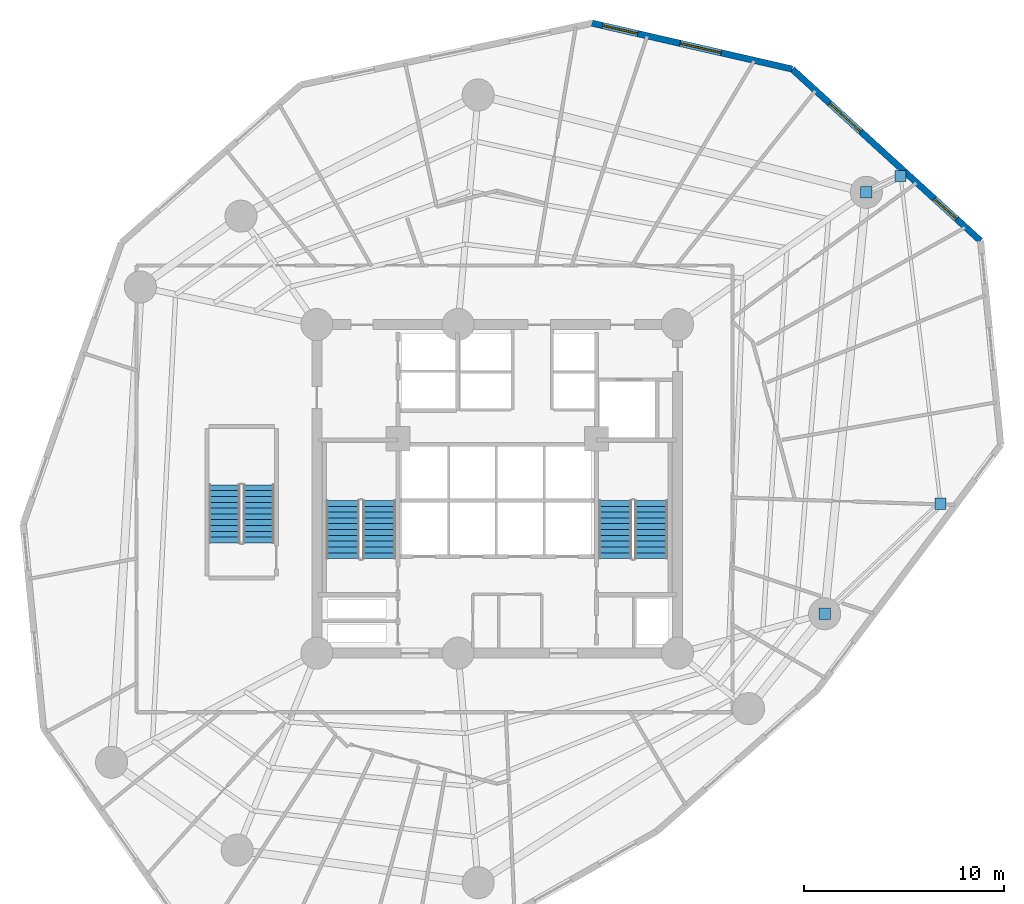
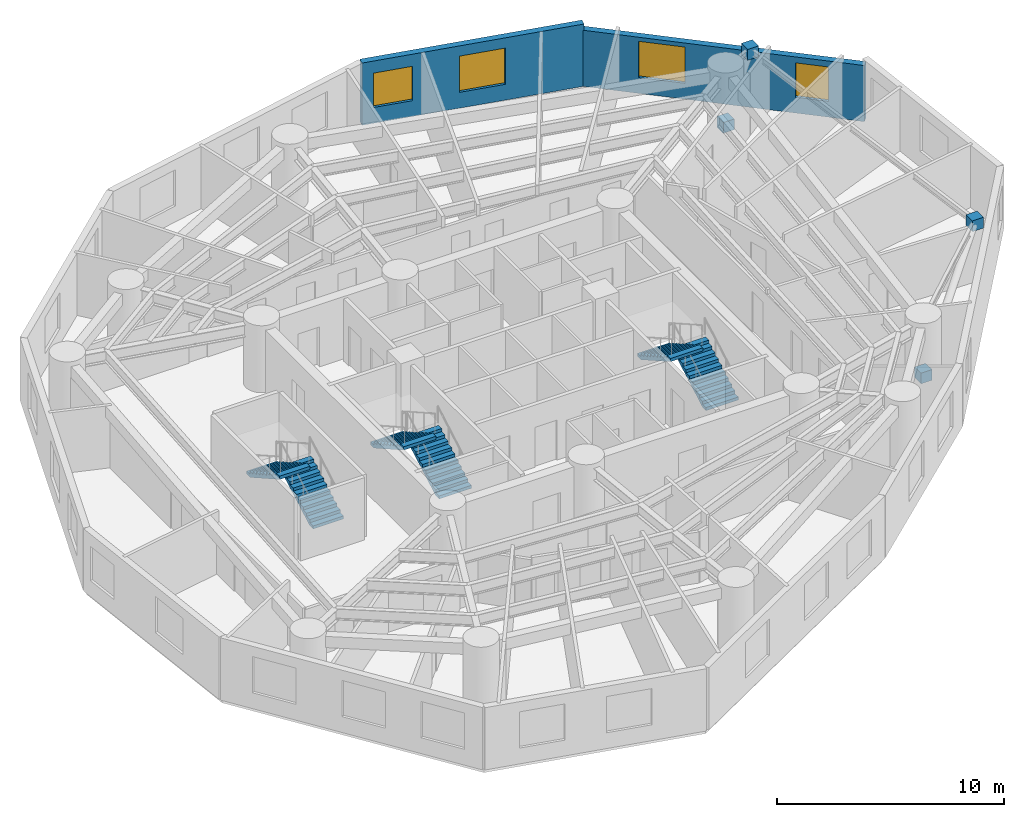
# One storey, part 7 of 8: 6 stair flights, 4 discrete accessories, 4 windows, 2 walls, 4 openings, 3 elements without a shape of their own.
"""IFC4 building model written with IfcOpenShell, lengths in metres."""

import ifcopenshell
import ifcopenshell.guid

model = None  # the IFC model being written
_history = None  # IfcOwnerHistory: only IFC2X3 demands one
_inside = {}  # id of a spatial element -> (the spatial element, [elements in it])
_under = {}  # id of a project, library or spatial element -> (it, [spatial elements below it])
_declared = {}  # id of a project -> (the project, [libraries it declares])
_typed = {}  # id of a type object -> (the type object, [elements of that type])
_made_of = {}  # id of a material, layer set ... -> (it, [elements and type objects made of it])


def new_model(schema):
    """Start an empty IFC model of exactly this schema.

    Asked for "IFC4X3", IfcOpenShell would pick the latest addendum, in which some entities
    have other attributes; the version numbers below select the first issue.
    IFC2X3 requires an IfcOwnerHistory on every rooted entity: one is made here for all.
    """
    global model, _history
    if schema == "IFC4X3":
        model = ifcopenshell.file(schema_version=(4, 3, 0, 0))
    else:
        model = ifcopenshell.file(schema=schema)
    _inside.clear()
    _under.clear()
    _declared.clear()
    _typed.clear()
    _made_of.clear()
    _history = None
    if model.schema == "IFC2X3":
        org = make("IfcOrganization", Name="unknown")
        user = make(
            "IfcPersonAndOrganization",
            ThePerson=make("IfcPerson", FamilyName="unknown"),
            TheOrganization=org,
        )
        app = make(
            "IfcApplication",
            ApplicationDeveloper=org,
            Version="unknown",
            ApplicationFullName="unknown",
            ApplicationIdentifier="unknown",
        )
        _history = make(
            "IfcOwnerHistory",
            OwningUser=user,
            OwningApplication=app,
            ChangeAction="ADDED",
            CreationDate=0,
        )
    return model


def make(cls, **values):
    """One entity of the class cls with the attributes given. An attribute that is None is left unset."""
    return model.create_entity(
        cls, **{name: value for name, value in values.items() if value is not None}
    )


def rooted(cls, **values):
    """An entity with a GlobalId (a new one), such as an element, a storey or a relation."""
    return make(cls, GlobalId=ifcopenshell.guid.new(), OwnerHistory=_history, **values)


def si_unit(unit_type, name, prefix=None):
    """IfcSIUnit, for example si_unit("LENGTHUNIT", "METRE", prefix="MILLI")."""
    return make("IfcSIUnit", UnitType=unit_type, Prefix=prefix, Name=name)


def assignment(units):
    """IfcUnitAssignment: the units of a project."""
    return None if units is None else make("IfcUnitAssignment", Units=units)


def point(xyz):
    """IfcCartesianPoint."""
    return None if xyz is None else make("IfcCartesianPoint", Coordinates=xyz)


def direction(xyz):
    """IfcDirection."""
    return None if xyz is None else make("IfcDirection", DirectionRatios=xyz)


def frame(location, z_axis=None, x_axis=None):
    """IfcAxis2Placement3D, a coordinate frame: its origin and axes. An axis left out is left unset."""
    return make(
        "IfcAxis2Placement3D",
        Location=point(location),
        Axis=direction(z_axis),
        RefDirection=direction(x_axis),
    )


def frame_2d(location, x_axis=None):
    """IfcAxis2Placement2D, a coordinate frame in the plane: its origin and x axis."""
    return make(
        "IfcAxis2Placement2D", Location=point(location), RefDirection=direction(x_axis)
    )


def origin():
    """The frame at (0, 0, 0) with its axes left unset."""
    return frame((0.0, 0.0, 0.0))


def origin_with_axes():
    """The frame at (0, 0, 0) with the z axis (0, 0, 1) and the x axis (1, 0, 0) written out."""
    return frame((0.0, 0.0, 0.0), z_axis=(0.0, 0.0, 1.0), x_axis=(1.0, 0.0, 0.0))


def origin_2d():
    """The frame at (0, 0) in the plane with its x axis left unset."""
    return frame_2d((0.0, 0.0))


def place(relative_to, where):
    """IfcLocalPlacement: puts the frame where relative to a parent placement (None: the world)."""
    return make(
        "IfcLocalPlacement", PlacementRelTo=relative_to, RelativePlacement=where
    )


def context(
    kind, dimensions, precision=None, world=None, true_north=None, identifier=None
):
    """IfcGeometricRepresentationContext, for example the 3D "Model" context."""
    return make(
        "IfcGeometricRepresentationContext",
        ContextIdentifier=identifier,
        ContextType=kind,
        CoordinateSpaceDimension=dimensions,
        Precision=precision,
        WorldCoordinateSystem=world,
        TrueNorth=true_north,
    )


def subcontext(parent, identifier, kind, view, scale=None):
    """IfcGeometricRepresentationSubContext, for example "Body" below "Model"."""
    return make(
        "IfcGeometricRepresentationSubContext",
        ContextIdentifier=identifier,
        ContextType=kind,
        ParentContext=parent,
        TargetScale=scale,
        TargetView=view,
    )


def project(units=None, contexts=None):
    """IfcProject with its units and contexts."""
    return rooted(
        "IfcProject",
        Name="project",
        RepresentationContexts=contexts,
        UnitsInContext=assignment(units),
    )


def spatial(cls, under=None, at=None, **own):
    """A site, building, storey or space (cls), placed at a placement, below another one or the project."""
    s = rooted(cls, ObjectPlacement=at, **own)
    if under is not None:
        _under.setdefault(under.id(), (under, []))[1].append(s)
    return s


def polyline(points):
    """IfcPolyline through the points."""
    return make("IfcPolyline", Points=[point(p) for p in points])


def profile(cls, at=None, kind="AREA", **sizes):
    """A parametric profile (cls). Its sizes go by their IFC names, for example OverallWidth=200.0."""
    return make(cls, ProfileType=kind, Position=at, **sizes)


def rectangle(**sizes):
    """IfcRectangleProfileDef."""
    return profile("IfcRectangleProfileDef", **sizes)


def outline(outer, holes=None, kind="AREA"):
    """IfcArbitraryClosedProfileDef: a profile drawn as a closed curve; with holes, ...WithVoids."""
    if holes is None:
        return make("IfcArbitraryClosedProfileDef", ProfileType=kind, OuterCurve=outer)
    return make(
        "IfcArbitraryProfileDefWithVoids",
        ProfileType=kind,
        OuterCurve=outer,
        InnerCurves=holes,
    )


def extrude(swept, where, along, depth):
    """IfcExtrudedAreaSolid: the profile swept, set in the frame where, extruded along a direction by depth."""
    return make(
        "IfcExtrudedAreaSolid",
        SweptArea=swept,
        Position=where,
        ExtrudedDirection=direction(along),
        Depth=depth,
    )


def shape(context_of_items, identifier, shape_type, items):
    """IfcShapeRepresentation: the items that make up one representation, for example the "Body"."""
    return make(
        "IfcShapeRepresentation",
        ContextOfItems=context_of_items,
        RepresentationIdentifier=identifier,
        RepresentationType=shape_type,
        Items=items,
    )


def source(mapping_origin, context_of_items, identifier, shape_type, items):
    """IfcRepresentationMap: a shape defined once, which mapped items show again and again."""
    return make(
        "IfcRepresentationMap",
        MappingOrigin=mapping_origin,
        MappedRepresentation=shape(context_of_items, identifier, shape_type, items),
    )


def transform(
    local_origin,
    x_axis=None,
    y_axis=None,
    z_axis=None,
    scale=None,
    scale2=None,
    scale3=None,
    uniform=True,
):
    """IfcCartesianTransformationOperator3D, or its non-uniform kind. x_axis, y_axis, z_axis: its Axis1, 2, 3."""
    if uniform:
        return make(
            "IfcCartesianTransformationOperator3D",
            Axis1=direction(x_axis),
            Axis2=direction(y_axis),
            LocalOrigin=point(local_origin),
            Scale=scale,
            Axis3=direction(z_axis),
        )
    return make(
        "IfcCartesianTransformationOperator3DnonUniform",
        Axis1=direction(x_axis),
        Axis2=direction(y_axis),
        LocalOrigin=point(local_origin),
        Scale=scale,
        Axis3=direction(z_axis),
        Scale2=scale2,
        Scale3=scale3,
    )


def mapped(mapping_source, mapping_target):
    """IfcMappedItem: shows the shape of a source again, moved by a transform."""
    return make(
        "IfcMappedItem", MappingSource=mapping_source, MappingTarget=mapping_target
    )


def material(Name=None, Category=None):
    """IfcMaterial."""
    return make("IfcMaterial", Name=Name, Category=Category)


def layer(
    of_material, thickness, ventilated=None, Name=None, Category=None, Priority=None
):
    """IfcMaterialLayer: one layer of a wall or slab, of a material (None: an air gap)."""
    return make(
        "IfcMaterialLayer",
        Material=of_material,
        LayerThickness=thickness,
        IsVentilated=ventilated,
        Name=Name,
        Category=Category,
        Priority=Priority,
    )


def layer_set(layers, Name=None):
    """IfcMaterialLayerSet."""
    return make("IfcMaterialLayerSet", MaterialLayers=layers, LayerSetName=Name)


def made_of(thing, what):
    """Note that an element or type object is made of a material, layer set ...; save() writes the relation."""
    if what is not None:
        _made_of.setdefault(what.id(), (what, []))[1].append(thing)
    return thing


def type_object(cls, material=None, **own):
    """A type object (cls), such as IfcWallType, which elements share."""
    return made_of(rooted(cls, **own), material)


def element(
    cls,
    number,
    at=None,
    inside=None,
    cuts=None,
    type_object=None,
    material=None,
    context=None,
    identifier="Body",
    shape_type=None,
    held_by="IfcProductDefinitionShape",
    body=None,
    shapes=None,
    **own,
):
    """One element of the class cls, such as IfcWall. Its Tag is "e" and its number.

    at: its placement. inside: the storey or other place that contains it. cuts: it is an
    opening in that element (IfcRelVoidsElement). A single representation is given by context,
    identifier, shape_type and body (its items); several are given by shapes. held_by: the class
    of the entity that holds the representations. save() writes the other relations.
    """
    e = rooted(cls, Tag="e%d" % number, ObjectPlacement=at, **own)
    if body is not None:
        shapes = [shape(context, identifier, shape_type, body)]
    if shapes is not None:
        e.Representation = make(held_by, Representations=shapes)
    if inside is not None:
        _inside.setdefault(inside.id(), (inside, []))[1].append(e)
    if cuts is not None:
        rooted(
            "IfcRelVoidsElement", RelatingBuildingElement=cuts, RelatedOpeningElement=e
        )
    if type_object is not None:
        _typed.setdefault(type_object.id(), (type_object, []))[1].append(e)
    return made_of(e, material)


def fill(opening, filler):
    """IfcRelFillsElement: the door or window that sits in an opening."""
    return rooted(
        "IfcRelFillsElement",
        RelatingOpeningElement=opening,
        RelatedBuildingElement=filler,
    )


def aggregate(whole, parts):
    """IfcRelAggregates: a whole, such as a stair, and the parts it consists of."""
    return rooted("IfcRelAggregates", RelatingObject=whole, RelatedObjects=parts)


def save(model, path):
    """Write the relations noted so far, then the file.

    IfcRelAggregates (storeys below a building ...), IfcRelContainedInSpatialStructure (elements
    in a storey), IfcRelDefinesByType, IfcRelAssociatesMaterial and IfcRelDeclares: one each for
    every whole, place, type object, material and project.
    """
    for whole, parts in _under.values():
        aggregate(whole, parts)
    for where, things in _inside.values():
        rooted(
            "IfcRelContainedInSpatialStructure",
            RelatedElements=things,
            RelatingStructure=where,
        )
    for kind, things in _typed.values():
        rooted("IfcRelDefinesByType", RelatedObjects=things, RelatingType=kind)
    for what, things in _made_of.values():
        rooted("IfcRelAssociatesMaterial", RelatedObjects=things, RelatingMaterial=what)
    for by, libraries in _declared.values():
        rooted("IfcRelDeclares", RelatingContext=by, RelatedDefinitions=libraries)
    model.write(path)


model = new_model("IFC4")

# Units and contexts
model_context = context("Model", 3, precision=1e-05, world=origin(), true_north=direction((0.0, 1.0)))
body_context = subcontext(model_context, "Body", "Model", "MODEL_VIEW")
ifc_project = project(units=[si_unit("LENGTHUNIT", "METRE"), si_unit("AREAUNIT", "SQUARE_METRE"), si_unit("VOLUMEUNIT", "CUBIC_METRE"), si_unit("PLANEANGLEUNIT", "RADIAN"), si_unit("MASSUNIT", "GRAM", prefix="KILO")], contexts=[model_context])

# Site, building, storey
site_placement = place(None, origin())
site = spatial("IfcSite", under=ifc_project, at=site_placement, CompositionType="ELEMENT")
building_placement = place(site_placement, origin())
building = spatial("IfcBuilding", under=site, at=building_placement, Name="Karkom Vertical University and Central Library", CompositionType="ELEMENT")
storey_placement = place(building_placement, frame((0.0, 0.0, 62.5)))
storey = spatial("IfcBuildingStorey", under=building, at=storey_placement, Name="L16", CompositionType="ELEMENT", Elevation=62.5)

# Wall, openings, windows
ifc_material_1 = material(Name="Brick-faced precast concrete C45/55", Category="masonry")
ifc_layer = layer(ifc_material_1, 0.320068359375)
ifc_layer_set = layer_set([ifc_layer], Name="Brick-faced precast concrete C45/55")
wall_type = type_object("IfcWallType", Name="ENV-WL-BRK-320", PredefinedType="SOLIDWALL", material=ifc_layer_set)
wall_1_placement = place(storey_placement, frame((52.625732421875, 38.8720703125, 0.0), z_axis=(0.0, 0.0, 1.0), x_axis=(-0.739069015005, 0.673629713611, 0.0)))
wall_1 = element("IfcWall", 1, at=wall_1_placement, inside=storey, type_object=wall_type, Name="Level 16 Brick-Faced Precast Facade Wall 10", PredefinedType="SOLIDWALL", context=body_context, shape_type="SweptSolid", body=[
    extrude(rectangle(XDim=12.7294921875, YDim=0.320068359375, at=frame_2d((6.36474609375, 0.0))), origin(), (0.0, 0.0, 1.0), 3.02001953125),
])
opening_1_placement = place(wall_1_placement, frame((1.62158203125, 0.0, 0.85009765625)))
opening_1 = element("IfcOpeningElement", 2, at=opening_1_placement, cuts=wall_1, Name="Opening WN-05", PredefinedType="OPENING", context=body_context, shape_type="SweptSolid", body=[
    extrude(rectangle(XDim=1.5, YDim=1.85009765625, at=frame_2d((0.75, 0.925048828125))), frame((0.0, 0.169921875, 0.0), z_axis=(0.0, -1.0, 0.0), x_axis=(1.0, 0.0, 0.0)), (0.0, 0.0, 1.0), 0.340087890625),
])
opening_2_placement = place(wall_1_placement, frame((8.089111328125, 0.0, 0.85009765625)))
opening_2 = element("IfcOpeningElement", 3, at=opening_2_placement, cuts=wall_1, Name="Opening WN-03", PredefinedType="OPENING", context=body_context, shape_type="SweptSolid", body=[
    extrude(rectangle(XDim=2.10009765625, YDim=1.949951171875, at=frame_2d((1.050048828125, 0.97509765625))), frame((0.0, 0.169921875, 0.0), z_axis=(0.0, -1.0, 0.0), x_axis=(1.0, 0.0, 0.0)), (0.0, 0.0, 1.0), 0.340087890625),
])
ifc_material_2 = material(Name="Aluminium thermal-break frame with solar-control IGU", Category="aluminium")
window_type_1 = type_object("IfcWindowType", Name="ENV-WIN-WN-03", PartitioningType="SINGLE_PANEL", PredefinedType="WINDOW", material=ifc_material_2)
shared_shape_1 = source(origin_with_axes(), body_context, "Body", "SweptSolid", [
    extrude(rectangle(XDim=2.10009765625, YDim=1.949951171875, at=frame_2d((1.050048828125, 0.97509765625))), frame((0.0, 0.030029296875, 0.0), z_axis=(0.0, -1.0, 0.0), x_axis=(1.0, 0.0, 0.0)), (0.0, 0.0, 1.0), 0.06005859375),
])
window_1_placement = place(opening_2_placement, origin())
window_1 = element("IfcWindow", 4, at=window_1_placement, inside=storey, type_object=window_type_1, Name="Level 16 Punched Window 10.2", OverallHeight=1.949951171875, OverallWidth=2.10009765625, PartitioningType="SINGLE_PANEL", PredefinedType="WINDOW", context=body_context, shape_type="MappedRepresentation", body=[
    mapped(shared_shape_1, transform((0.0, 0.0, 0.0), scale=1.0)),
])
fill(opening_2, window_1)
window_type_2 = type_object("IfcWindowType", Name="ENV-WIN-WN-05", PartitioningType="SINGLE_PANEL", PredefinedType="WINDOW", material=ifc_material_2)
shared_shape_2 = source(origin_with_axes(), body_context, "Body", "SweptSolid", [
    extrude(rectangle(XDim=1.5, YDim=1.85009765625, at=frame_2d((0.75, 0.925048828125))), frame((0.0, 0.030029296875, 0.0), z_axis=(0.0, -1.0, 0.0), x_axis=(1.0, 0.0, 0.0)), (0.0, 0.0, 1.0), 0.06005859375),
])
window_2_placement = place(opening_1_placement, origin())
window_2 = element("IfcWindow", 5, at=window_2_placement, inside=storey, type_object=window_type_2, Name="Level 16 Punched Window 10.1", OverallHeight=1.85009765625, OverallWidth=1.5, PartitioningType="SINGLE_PANEL", PredefinedType="WINDOW", context=body_context, shape_type="MappedRepresentation", body=[
    mapped(shared_shape_2, transform((0.0, 0.0, 0.0), scale=1.0)),
])
fill(opening_1, window_2)

wall_2_placement = place(storey_placement, frame((43.2177734375, 47.447021484375, 0.0), z_axis=(0.0, 0.0, 1.0), x_axis=(-0.974645302581, 0.223755523188, 0.0)))
wall_2 = element("IfcWall", 6, at=wall_2_placement, inside=storey, type_object=wall_type, Name="Level 16 Brick-Faced Precast Facade Wall 11", PredefinedType="SOLIDWALL", context=body_context, shape_type="SweptSolid", body=[
    extrude(rectangle(XDim=10.2412109375, YDim=0.320068359375, at=frame_2d((5.12060546875, 0.0))), origin(), (0.0, 0.0, 1.0), 3.35009765625),
])
opening_3_placement = place(wall_2_placement, frame((3.6337890625, 0.0, 0.85009765625)))
opening_3 = element("IfcOpeningElement", 7, at=opening_3_placement, cuts=wall_2, Name="Opening WN-03", PredefinedType="OPENING", context=body_context, shape_type="SweptSolid", body=[
    extrude(rectangle(XDim=2.10009765625, YDim=1.949951171875, at=frame_2d((1.050048828125, 0.97509765625))), frame((0.0, 0.169921875, 0.0), z_axis=(0.0, -1.0, 0.0), x_axis=(1.0, 0.0, 0.0)), (0.0, 0.0, 1.0), 0.340087890625),
])
opening_4_placement = place(wall_2_placement, frame((7.9013671875, 0.0, 0.85009765625)))
opening_4 = element("IfcOpeningElement", 8, at=opening_4_placement, cuts=wall_2, Name="Opening WN-04", PredefinedType="OPENING", context=body_context, shape_type="SweptSolid", body=[
    extrude(rectangle(XDim=1.800048828125, YDim=1.85009765625, at=frame_2d((0.89990234375, 0.925048828125))), frame((0.0, 0.169921875, 0.0), z_axis=(0.0, -1.0, 0.0), x_axis=(1.0, 0.0, 0.0)), (0.0, 0.0, 1.0), 0.340087890625),
])
window_3_placement = place(opening_3_placement, origin())
window_3 = element("IfcWindow", 9, at=window_3_placement, inside=storey, type_object=window_type_1, Name="Level 16 Punched Window 11.1", OverallHeight=1.949951171875, OverallWidth=2.10009765625, PartitioningType="SINGLE_PANEL", PredefinedType="WINDOW", context=body_context, shape_type="MappedRepresentation", body=[
    mapped(shared_shape_1, transform((0.0, 0.0, 0.0), scale=1.0)),
])
fill(opening_3, window_3)
window_type_3 = type_object("IfcWindowType", Name="ENV-WIN-WN-04", PartitioningType="SINGLE_PANEL", PredefinedType="WINDOW", material=ifc_material_2)
shared_shape_3 = source(origin_with_axes(), body_context, "Body", "SweptSolid", [
    extrude(rectangle(XDim=1.800048828125, YDim=1.85009765625, at=frame_2d((0.89990234375, 0.925048828125))), frame((0.0, 0.030029296875, 0.0), z_axis=(0.0, -1.0, 0.0), x_axis=(1.0, 0.0, 0.0)), (0.0, 0.0, 1.0), 0.06005859375),
])
window_4_placement = place(opening_4_placement, origin())
window_4 = element("IfcWindow", 10, at=window_4_placement, inside=storey, type_object=window_type_3, Name="Level 16 Punched Window 11.2", OverallHeight=1.85009765625, OverallWidth=1.800048828125, PartitioningType="SINGLE_PANEL", PredefinedType="WINDOW", context=body_context, shape_type="MappedRepresentation", body=[
    mapped(shared_shape_3, transform((0.0, 0.0, 0.0), scale=1.0)),
])
fill(opening_4, window_4)

# Stair, stair flights
ifc_material_3 = material(Name="Concrete C45/55", Category="concrete")
stair_type_1 = type_object("IfcStairType", Name="INT-STR-ST-MAIN", PredefinedType="HALF_TURN_STAIR", material=ifc_material_3)
stair_1_placement = place(storey_placement, origin())
stair_1 = element("IfcStair", 11, at=stair_1_placement, inside=storey, type_object=stair_type_1, Name="Level 16 Tower Protected Exit Stair ST-1", PredefinedType="HALF_TURN_STAIR")
stair_flight_type_1 = type_object("IfcStairFlightType", Name="INT-SFL-ST-MAIN", PredefinedType="STRAIGHT", material=ifc_material_3)
stair_flight_1_placement = place(storey_placement, frame((22.614990234375, 23.02001953125, 0.0), z_axis=(0.0, 0.0, 1.0), x_axis=(0.0, 1.0, 0.0)))
stair_flight_1 = element("IfcStairFlight", 12, at=stair_flight_1_placement, type_object=stair_flight_type_1, Name="ST-1 flight 1", NumberOfRisers=11, NumberOfTreads=10, PredefinedType="STRAIGHT", RiserHeight=0.163636364, TreadLength=0.29, context=body_context, shape_type="SweptSolid", body=[
    extrude(outline(polyline([(0.0, 0.0), (0.0, 0.16357421875), (0.2900390625, 0.16357421875), (0.2900390625, 0.327392578125), (0.580078125, 0.327392578125), (0.580078125, 0.490966796875), (0.8701171875, 0.490966796875), (0.8701171875, 0.654541015625), (1.159912109375, 0.654541015625), (1.159912109375, 0.818115234375), (1.449951171875, 0.818115234375), (1.449951171875, 0.98193359375), (1.739990234375, 0.98193359375), (1.739990234375, 1.1455078125), (2.030029296875, 1.1455078125), (2.030029296875, 1.30908203125), (2.320068359375, 1.30908203125), (2.320068359375, 1.47265625), (2.610107421875, 1.47265625), (2.610107421875, 1.636474609375), (2.89990234375, 1.636474609375), (2.89990234375, 1.800048828125), (2.89990234375, 1.46435546875), (0.304931640625, 0.0), (0.0, 0.0)])), frame((0.0, 0.824951171875, 0.0), z_axis=(0.0, -1.0, 0.0), x_axis=(1.0, 0.0, 0.0)), (0.0, 0.0, 1.0), 1.64990234375),
])
stair_flight_2_placement = place(storey_placement, frame((20.804931640625, 25.919921875, 1.800048828125), z_axis=(0.0, 0.0, 1.0), x_axis=(0.0, -1.0, 0.0)))
stair_flight_2 = element("IfcStairFlight", 13, at=stair_flight_2_placement, type_object=stair_flight_type_1, Name="ST-1 flight 2", NumberOfRisers=11, NumberOfTreads=10, PredefinedType="STRAIGHT", RiserHeight=0.163636364, TreadLength=0.29, context=body_context, shape_type="SweptSolid", body=[
    extrude(outline(polyline([(0.0, 0.0), (0.0, 0.16357421875), (0.2900390625, 0.16357421875), (0.2900390625, 0.327392578125), (0.580078125, 0.327392578125), (0.580078125, 0.490966796875), (0.8701171875, 0.490966796875), (0.8701171875, 0.654541015625), (1.159912109375, 0.654541015625), (1.159912109375, 0.818115234375), (1.449951171875, 0.818115234375), (1.449951171875, 0.98193359375), (1.739990234375, 0.98193359375), (1.739990234375, 1.1455078125), (2.030029296875, 1.1455078125), (2.030029296875, 1.30908203125), (2.320068359375, 1.30908203125), (2.320068359375, 1.47265625), (2.610107421875, 1.47265625), (2.610107421875, 1.636474609375), (2.89990234375, 1.636474609375), (2.89990234375, 1.800048828125), (2.89990234375, 1.46435546875), (0.304931640625, 0.0), (0.0, 0.0)])), frame((0.0, 0.824951171875, 0.0), z_axis=(0.0, -1.0, 0.0), x_axis=(1.0, 0.0, 0.0)), (0.0, 0.0, 1.0), 1.64990234375),
])
aggregate(stair_1, [stair_flight_1, stair_flight_2])

stair_2_placement = place(storey_placement, origin())
stair_2 = element("IfcStair", 14, at=stair_2_placement, inside=storey, type_object=stair_type_1, Name="Level 16 Tower Protected Exit Stair ST-2", PredefinedType="HALF_TURN_STAIR")
stair_flight_3_placement = place(storey_placement, frame((36.195068359375, 23.02001953125, 0.0), z_axis=(0.0, 0.0, 1.0), x_axis=(0.0, 1.0, 0.0)))
stair_flight_3 = element("IfcStairFlight", 15, at=stair_flight_3_placement, type_object=stair_flight_type_1, Name="ST-2 flight 1", NumberOfRisers=11, NumberOfTreads=10, PredefinedType="STRAIGHT", RiserHeight=0.163636364, TreadLength=0.29, context=body_context, shape_type="SweptSolid", body=[
    extrude(outline(polyline([(0.0, 0.0), (0.0, 0.16357421875), (0.2900390625, 0.16357421875), (0.2900390625, 0.327392578125), (0.580078125, 0.327392578125), (0.580078125, 0.490966796875), (0.8701171875, 0.490966796875), (0.8701171875, 0.654541015625), (1.159912109375, 0.654541015625), (1.159912109375, 0.818115234375), (1.449951171875, 0.818115234375), (1.449951171875, 0.98193359375), (1.739990234375, 0.98193359375), (1.739990234375, 1.1455078125), (2.030029296875, 1.1455078125), (2.030029296875, 1.30908203125), (2.320068359375, 1.30908203125), (2.320068359375, 1.47265625), (2.610107421875, 1.47265625), (2.610107421875, 1.636474609375), (2.89990234375, 1.636474609375), (2.89990234375, 1.800048828125), (2.89990234375, 1.46435546875), (0.304931640625, 0.0), (0.0, 0.0)])), frame((0.0, 0.824951171875, 0.0), z_axis=(0.0, -1.0, 0.0), x_axis=(1.0, 0.0, 0.0)), (0.0, 0.0, 1.0), 1.64990234375),
])
stair_flight_4_placement = place(storey_placement, frame((34.385009765625, 25.919921875, 1.800048828125), z_axis=(0.0, 0.0, 1.0), x_axis=(0.0, -1.0, 0.0)))
stair_flight_4 = element("IfcStairFlight", 16, at=stair_flight_4_placement, type_object=stair_flight_type_1, Name="ST-2 flight 2", NumberOfRisers=11, NumberOfTreads=10, PredefinedType="STRAIGHT", RiserHeight=0.163636364, TreadLength=0.29, context=body_context, shape_type="SweptSolid", body=[
    extrude(outline(polyline([(0.0, 0.0), (0.0, 0.16357421875), (0.2900390625, 0.16357421875), (0.2900390625, 0.327392578125), (0.580078125, 0.327392578125), (0.580078125, 0.490966796875), (0.8701171875, 0.490966796875), (0.8701171875, 0.654541015625), (1.159912109375, 0.654541015625), (1.159912109375, 0.818115234375), (1.449951171875, 0.818115234375), (1.449951171875, 0.98193359375), (1.739990234375, 0.98193359375), (1.739990234375, 1.1455078125), (2.030029296875, 1.1455078125), (2.030029296875, 1.30908203125), (2.320068359375, 1.30908203125), (2.320068359375, 1.47265625), (2.610107421875, 1.47265625), (2.610107421875, 1.636474609375), (2.89990234375, 1.636474609375), (2.89990234375, 1.800048828125), (2.89990234375, 1.46435546875), (0.304931640625, 0.0), (0.0, 0.0)])), frame((0.0, 0.824951171875, 0.0), z_axis=(0.0, -1.0, 0.0), x_axis=(1.0, 0.0, 0.0)), (0.0, 0.0, 1.0), 1.64990234375),
])
aggregate(stair_2, [stair_flight_3, stair_flight_4])

stair_type_2 = type_object("IfcStairType", Name="INT-STR-ST-SEC", PredefinedType="HALF_TURN_STAIR", material=ifc_material_3)
stair_3_placement = place(storey_placement, origin())
stair_3 = element("IfcStair", 17, at=stair_3_placement, inside=storey, type_object=stair_type_2, Name="Level 16 Academic Zone Protected Exit Stair ST-3", PredefinedType="HALF_TURN_STAIR")
stair_flight_type_2 = type_object("IfcStairFlightType", Name="INT-SFL-ST-SEC", PredefinedType="STRAIGHT", material=ifc_material_3)
stair_flight_5_placement = place(storey_placement, frame((16.60498046875, 23.800048828125, 0.0), z_axis=(0.0, 0.0, 1.0), x_axis=(0.0, 1.0, 0.0)))
stair_flight_5 = element("IfcStairFlight", 18, at=stair_flight_5_placement, type_object=stair_flight_type_2, Name="ST-3 flight 1", NumberOfRisers=11, NumberOfTreads=10, PredefinedType="STRAIGHT", RiserHeight=0.163636364, TreadLength=0.29, context=body_context, shape_type="SweptSolid", body=[
    extrude(outline(polyline([(0.0, 0.0), (0.0, 0.16357421875), (0.2900390625, 0.16357421875), (0.2900390625, 0.327392578125), (0.580078125, 0.327392578125), (0.580078125, 0.490966796875), (0.8701171875, 0.490966796875), (0.8701171875, 0.654541015625), (1.159912109375, 0.654541015625), (1.159912109375, 0.818115234375), (1.449951171875, 0.818115234375), (1.449951171875, 0.98193359375), (1.739990234375, 0.98193359375), (1.739990234375, 1.1455078125), (2.030029296875, 1.1455078125), (2.030029296875, 1.30908203125), (2.320068359375, 1.30908203125), (2.320068359375, 1.47265625), (2.610107421875, 1.47265625), (2.610107421875, 1.636474609375), (2.89990234375, 1.636474609375), (2.89990234375, 1.800048828125), (2.89990234375, 1.46435546875), (0.304931640625, 0.0), (0.0, 0.0)])), frame((0.0, 0.77490234375, 0.0), z_axis=(0.0, -1.0, 0.0), x_axis=(1.0, 0.0, 0.0)), (0.0, 0.0, 1.0), 1.550048828125),
])
stair_flight_6_placement = place(storey_placement, frame((14.89501953125, 26.699951171875, 1.800048828125), z_axis=(0.0, 0.0, 1.0), x_axis=(0.0, -1.0, 0.0)))
stair_flight_6 = element("IfcStairFlight", 19, at=stair_flight_6_placement, type_object=stair_flight_type_2, Name="ST-3 flight 2", NumberOfRisers=11, NumberOfTreads=10, PredefinedType="STRAIGHT", RiserHeight=0.163636364, TreadLength=0.29, context=body_context, shape_type="SweptSolid", body=[
    extrude(outline(polyline([(0.0, 0.0), (0.0, 0.16357421875), (0.2900390625, 0.16357421875), (0.2900390625, 0.327392578125), (0.580078125, 0.327392578125), (0.580078125, 0.490966796875), (0.8701171875, 0.490966796875), (0.8701171875, 0.654541015625), (1.159912109375, 0.654541015625), (1.159912109375, 0.818115234375), (1.449951171875, 0.818115234375), (1.449951171875, 0.98193359375), (1.739990234375, 0.98193359375), (1.739990234375, 1.1455078125), (2.030029296875, 1.1455078125), (2.030029296875, 1.30908203125), (2.320068359375, 1.30908203125), (2.320068359375, 1.47265625), (2.610107421875, 1.47265625), (2.610107421875, 1.636474609375), (2.89990234375, 1.636474609375), (2.89990234375, 1.800048828125), (2.89990234375, 1.46435546875), (0.304931640625, 0.0), (0.0, 0.0)])), frame((0.0, 0.77490234375, 0.0), z_axis=(0.0, -1.0, 0.0), x_axis=(1.0, 0.0, 0.0)), (0.0, 0.0, 1.0), 1.550048828125),
])
aggregate(stair_3, [stair_flight_5, stair_flight_6])

# Discrete accessories
ifc_material_4 = material(Name="Ductile cast iron EN-GJS-400-15", Category="metal")
discrete_accessory_type = type_object("IfcDiscreteAccessoryType", Name="STR-ACC-NODECAP", PredefinedType="BRACKET", material=ifc_material_4)
shared_shape_4 = source(origin_with_axes(), body_context, "Body", "SweptSolid", [
    extrude(rectangle(XDim=0.56005859375, YDim=0.56005859375, at=origin_2d()), origin(), (0.0, 0.0, 1.0), 0.580078125),
])
for number, where, z_axis, x_axis, name in (
    (20, (44.841064453125, 20.26708984375, 0.06005859375), (0.0, 0.0, 1.0), (1.0, 0.0, 0.0), "Level 16 Cast Node Connector L16-SKG-KNEE-1 A"),
    (21, (50.62255859375, 25.752197265625, 2.89501953125), (0.0, 0.0, 1.0), (1.0, 0.0, 0.0), "Level 16 Cast Node Connector L16-SKG-KNEE-1 B"),
    (22, (46.919921875, 41.2958984375, 0.06005859375), (0.0, 0.0, 1.0), (1.0, 0.0, 0.0), "Level 16 Cast Node Connector L16-SKG-KNEE-2 A"),
    (23, (48.631103515625, 42.109619140625, 2.89501953125), (0.0, 0.0, 1.0), (1.0, 0.0, 0.0), "Level 16 Cast Node Connector L16-SKG-KNEE-2 B"),
):
    element("IfcDiscreteAccessory", number, at=place(storey_placement, frame(where, z_axis=z_axis, x_axis=x_axis)), inside=storey, type_object=discrete_accessory_type, Name=name, PredefinedType="BRACKET", context=body_context, shape_type="MappedRepresentation", body=[
        mapped(shared_shape_4, transform((0.0, 0.0, 0.0), scale=1.0)),
    ])

save(model, "model.ifc")
